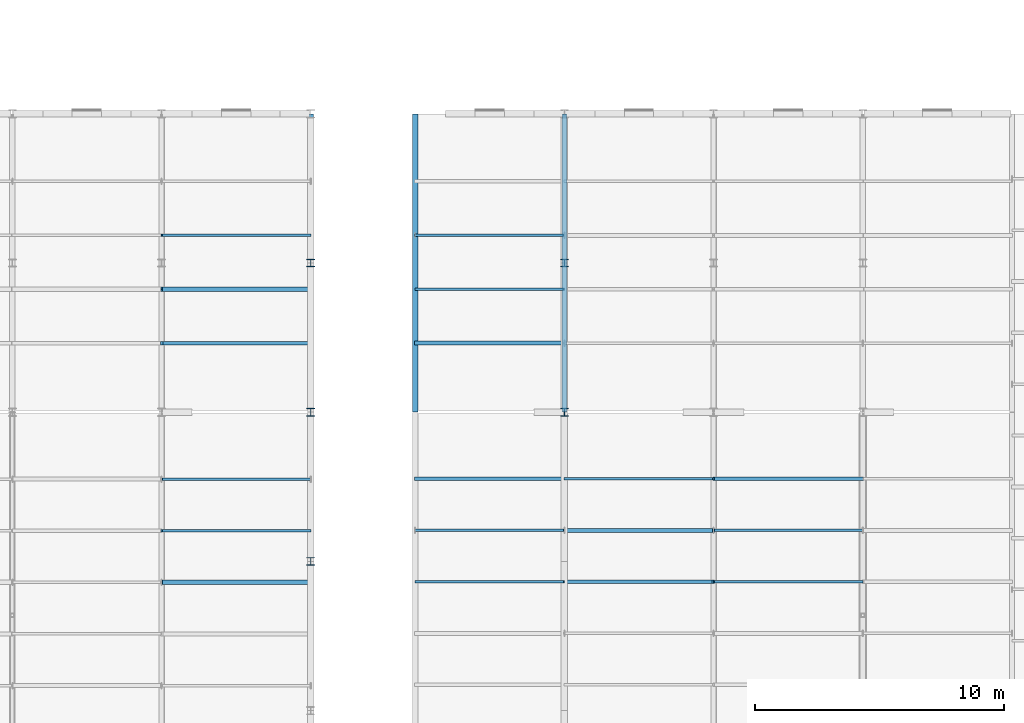
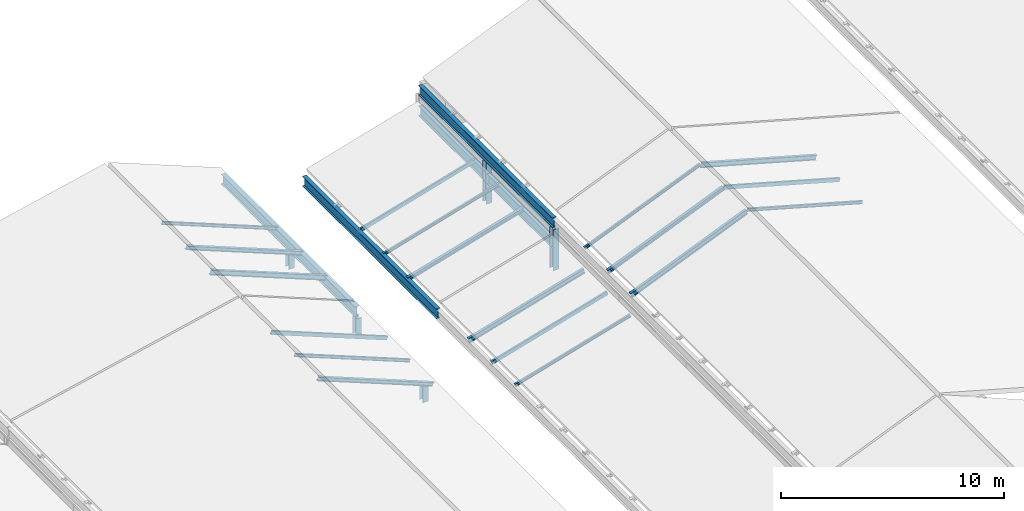
# One storey, part 6 of 74: 23 members, 4 beams.
"""IFC4 building model written with IfcOpenShell, lengths in metres."""

from ifc_helpers import new_model, si_unit, direction, frame, origin, origin_2d, place, context, subcontext, project, spatial, hollow_rectangle, i_section, extrude, material, material_profile, profile_set, type_object, element, save


model = new_model("IFC4")

# Units and contexts
model_context = context("Model", 3, precision=1e-05, world=origin(), true_north=direction((0.0, 1.0)))
body_context = subcontext(model_context, "Body", "Model", "MODEL_VIEW")
ifc_project = project(units=[si_unit("LENGTHUNIT", "METRE"), si_unit("AREAUNIT", "SQUARE_METRE"), si_unit("VOLUMEUNIT", "CUBIC_METRE"), si_unit("PLANEANGLEUNIT", "RADIAN"), si_unit("MASSUNIT", "GRAM", prefix="KILO")], contexts=[model_context])

# Site, building, storey
site_placement = place(None, origin())
site = spatial("IfcSite", under=ifc_project, at=site_placement, CompositionType="ELEMENT")
building_placement = place(site_placement, origin())
building = spatial("IfcBuilding", under=site, at=building_placement, Name="Siltcreek Boulevard Central Fire Station", CompositionType="ELEMENT")
storey_placement = place(building_placement, frame((0.0, 0.0, 25.199951171875)))
storey = spatial("IfcBuildingStorey", under=building, at=storey_placement, Name="RF", CompositionType="ELEMENT", Elevation=25.199951171875)

# Beams
ifc_material_1 = material(Name="Structural steel ASTM A992 Gr50", Category="steel")
ifc_material_profile_1 = material_profile(ifc_material_1, i_section(OverallWidth=0.2109375, OverallDepth=0.5390625, WebThickness=0.01171875, FlangeThickness=0.018798828125, at=origin_2d()), Name="W530X109")
ifc_profile_set_1 = profile_set([ifc_material_profile_1], Name="Structural steel ASTM A992 Gr50")
beam_type = type_object("IfcBeamType", Name="BM_W530X109", PredefinedType="BEAM", material=ifc_profile_set_1)
for number, where, z_axis, x_axis, name in (
    (1, (42.0, 42.010009765625, -15.563720703125), (0.0, 1.0, 0.0), (-1.0, 0.0, 0.0), "Pitched roof rafter beam RFB-005"),
    (2, (48.0, 42.010009765625, -13.813720703125), (0.0, 1.0, 0.0), (-1.0, 0.0, 0.0), "Pitched roof rafter beam RFB-006"),
    (3, (48.0, 42.010009765625, -12.68896484375), (0.0, 1.0, 0.0), (-1.0, 0.0, 0.0), "Pitched roof rafter beam RFB-014"),
    (4, (37.800048828125, 42.010009765625, -13.9853515625), (0.0, 1.0, 0.0), (-1.0, 0.0, 0.0), "Pitched roof rafter beam RFB-050"),
):
    element("IfcBeam", number, at=place(storey_placement, frame(where, z_axis=z_axis, x_axis=x_axis)), inside=storey, type_object=beam_type, Name=name, PredefinedType="BEAM", context=body_context, shape_type="SweptSolid", body=[
        extrude(i_section(OverallWidth=0.2109375, OverallDepth=0.5390625, WebThickness=0.01171875, FlangeThickness=0.018798828125, at=origin_2d()), origin(), (0.0, 0.0, 1.0), 11.97998046875),
    ])

# Members
ifc_material_profile_2 = material_profile(ifc_material_1, i_section(OverallWidth=0.304931640625, OverallDepth=0.30810546875, WebThickness=0.010009765625, FlangeThickness=0.015380859375, at=origin_2d()), Name="W310X97")
ifc_profile_set_2 = profile_set([ifc_material_profile_2], Name="Structural steel ASTM A992 Gr50")
member_type_1 = type_object("IfcMemberType", Name="CH_W310X97", PredefinedType="CHORD", material=ifc_profile_set_2)
member_1_placement = place(storey_placement, frame((37.800048828125, 36.0, -15.199951171875), z_axis=(0.0, 0.0, 1.0), x_axis=(1.0, 0.0, 0.0)))
element("IfcMember", 5, at=member_1_placement, inside=storey, type_object=member_type_1, Name="Roof bearing truss post 0685", PredefinedType="CHORD", context=body_context, shape_type="SweptSolid", body=[
    extrude(i_section(OverallWidth=0.304931640625, OverallDepth=0.30810546875, WebThickness=0.010009765625, FlangeThickness=0.015380859375, at=origin_2d()), origin(), (0.0, 0.0, 1.0), 0.927490234375),
])
for number, where, z_axis, x_axis, name in (
    (6, (37.800048828125, 42.0, -15.199951171875), (0.0, 0.0, 1.0), (1.0, 0.0, 0.0), "Roof bearing truss post 0686"),
    (7, (37.800048828125, 48.0, -15.199951171875), (0.0, 0.0, 1.0), (1.0, 0.0, 0.0), "Roof bearing truss post 0687"),
):
    element("IfcMember", number, at=place(storey_placement, frame(where, z_axis=z_axis, x_axis=x_axis)), inside=storey, type_object=member_type_1, Name=name, PredefinedType="CHORD", context=body_context, shape_type="SweptSolid", body=[
        extrude(i_section(OverallWidth=0.304931640625, OverallDepth=0.30810546875, WebThickness=0.010009765625, FlangeThickness=0.015380859375, at=origin_2d()), origin(), (0.0, 0.0, 1.0), 0.94921875),
    ])
for number, where, z_axis, x_axis, name in (
    (8, (48.0, 42.0, -15.199951171875), (0.0, 0.0, 1.0), (1.0, 0.0, 0.0), "Roof bearing truss post 0695"),
    (9, (48.0, 48.0, -15.199951171875), (0.0, 0.0, 1.0), (1.0, 0.0, 0.0), "Roof bearing truss post 0696"),
):
    element("IfcMember", number, at=place(storey_placement, frame(where, z_axis=z_axis, x_axis=x_axis)), inside=storey, type_object=member_type_1, Name=name, PredefinedType="CHORD", context=body_context, shape_type="SweptSolid", body=[
        extrude(i_section(OverallWidth=0.304931640625, OverallDepth=0.30810546875, WebThickness=0.010009765625, FlangeThickness=0.015380859375, at=origin_2d()), origin(), (0.0, 0.0, 1.0), 2.24560546875),
    ])
ifc_material_2 = material(Name="Structural steel ASTM A500 GrC", Category="steel")
ifc_material_profile_3 = material_profile(ifc_material_2, hollow_rectangle(XDim=0.10009765625, YDim=0.199951171875, WallThickness=0.00634765625, at=origin_2d()), Name="HSS200X100X6.4")
ifc_profile_set_3 = profile_set([ifc_material_profile_3], Name="Structural steel ASTM A500 GrC")
member_type_2 = type_object("IfcMemberType", Name="PR_HSS200X100", PredefinedType="PURLIN", material=ifc_profile_set_3)
for number, where, z_axis, x_axis, name in (
    (10, (42.010009765625, 37.248291015625, -15.375732421875), (0.959990342304, 0.0, 0.280033109976), (0.0, 1.0, 0.0), "Sloped roof purlin PR-0015"),
    (11, (42.010009765625, 49.114013671875, -15.354736328125), (0.960000877925, 0.0, 0.279996989953), (0.0, 1.0, 0.0), "Sloped roof purlin PR-0019"),
):
    element("IfcMember", number, at=place(storey_placement, frame(where, z_axis=z_axis, x_axis=x_axis)), inside=storey, type_object=member_type_2, Name=name, PredefinedType="PURLIN", context=body_context, shape_type="SweptSolid", body=[
        extrude(hollow_rectangle(XDim=0.10009765625, YDim=0.199951171875, WallThickness=0.00634765625, at=origin_2d()), origin(), (0.0, 0.0, 1.0), 6.229248046875),
    ])
member_2_placement = place(storey_placement, frame((54.010009765625, 37.248291015625, -9.980224609375), z_axis=(0.963171200032, 0.0, -0.268888897927), x_axis=(0.0, 1.0, 0.0)))
element("IfcMember", 12, at=member_2_placement, inside=storey, type_object=member_type_2, Name="Sloped roof purlin PR-0051", PredefinedType="PURLIN", context=body_context, shape_type="SweptSolid", body=[
    extrude(hollow_rectangle(XDim=0.10009765625, YDim=0.199951171875, WallThickness=0.00634765625, at=origin_2d()), origin(), (0.0, 0.0, 1.0), 6.208740234375),
])
member_3_placement = place(storey_placement, frame((31.81005859375, 39.313720703125, -11.39501953125), z_axis=(0.928484533425, 0.0, -0.371371069403), x_axis=(0.0, 1.0, 0.0)))
element("IfcMember", 13, at=member_3_placement, inside=storey, type_object=member_type_2, Name="Sloped roof purlin PR-0255", PredefinedType="PURLIN", context=body_context, shape_type="SweptSolid", body=[
    extrude(hollow_rectangle(XDim=0.10009765625, YDim=0.199951171875, WallThickness=0.00634765625, at=origin_2d()), origin(), (0.0, 0.0, 1.0), 6.440673828125),
])
ifc_material_profile_4 = material_profile(ifc_material_1, i_section(OverallWidth=0.10205078125, OverallDepth=0.159912109375, WebThickness=0.006591796875, FlangeThickness=0.01025390625, at=origin_2d()), Name="W150X24")
ifc_profile_set_4 = profile_set([ifc_material_profile_4], Name="Structural steel ASTM A992 Gr50")
member_type_3 = type_object("IfcMemberType", Name="PR_W150X24", PredefinedType="PURLIN", material=ifc_profile_set_4)
for number, where, z_axis, x_axis, name in (
    (14, (42.010009765625, 35.17724609375, -15.354736328125), (0.960000877925, 0.0, 0.279996989953), (0.0, 1.0, 0.0), "Sloped roof purlin PR-0014"),
    (15, (42.010009765625, 46.946044921875, -15.333984375), (0.960000877925, 0.0, 0.279996989953), (0.0, 1.0, 0.0), "Sloped roof purlin PR-0018"),
):
    element("IfcMember", number, at=place(storey_placement, frame(where, z_axis=z_axis, x_axis=x_axis)), inside=storey, type_object=member_type_3, Name=name, PredefinedType="PURLIN", context=body_context, shape_type="SweptSolid", body=[
        extrude(i_section(OverallWidth=0.10205078125, OverallDepth=0.159912109375, WebThickness=0.006591796875, FlangeThickness=0.01025390625, at=origin_2d()), origin(), (0.0, 0.0, 1.0), 6.229248046875),
    ])
member_4_placement = place(storey_placement, frame((48.010009765625, 39.319091796875, -12.46728515625), z_axis=(0.923074693136, 0.0, 0.384620736431), x_axis=(0.0, 1.0, 0.0)))
element("IfcMember", 16, at=member_4_placement, inside=storey, type_object=member_type_3, Name="Sloped roof purlin PR-0042", PredefinedType="PURLIN", context=body_context, shape_type="SweptSolid", body=[
    extrude(i_section(OverallWidth=0.10205078125, OverallDepth=0.159912109375, WebThickness=0.006591796875, FlangeThickness=0.01025390625, at=origin_2d()), origin(), (0.0, 0.0, 1.0), 6.478271484375),
])
member_5_placement = place(storey_placement, frame((54.010009765625, 35.17724609375, -9.95947265625), z_axis=(0.96318138349, 0.0, -0.268852417691), x_axis=(0.0, 1.0, 0.0)))
element("IfcMember", 17, at=member_5_placement, inside=storey, type_object=member_type_3, Name="Sloped roof purlin PR-0050", PredefinedType="PURLIN", context=body_context, shape_type="SweptSolid", body=[
    extrude(i_section(OverallWidth=0.10205078125, OverallDepth=0.159912109375, WebThickness=0.006591796875, FlangeThickness=0.01025390625, at=origin_2d()), origin(), (0.0, 0.0, 1.0), 6.20849609375),
])
for number, where, z_axis, x_axis, name in (
    (18, (31.81005859375, 37.2373046875, -11.373291015625), (0.928471462369, 0.0, -0.371403747379), (0.0, 1.0, 0.0), "Sloped roof purlin PR-0254"),
    (19, (31.81005859375, 49.114013671875, -11.351806640625), (0.928471462369, 0.0, -0.371403747379), (0.0, 1.0, 0.0), "Sloped roof purlin PR-0266"),
):
    element("IfcMember", number, at=place(storey_placement, frame(where, z_axis=z_axis, x_axis=x_axis)), inside=storey, type_object=member_type_3, Name=name, PredefinedType="PURLIN", context=body_context, shape_type="SweptSolid", body=[
        extrude(i_section(OverallWidth=0.10205078125, OverallDepth=0.159912109375, WebThickness=0.006591796875, FlangeThickness=0.01025390625, at=origin_2d()), origin(), (0.0, 0.0, 1.0), 6.440673828125),
    ])
ifc_material_profile_5 = material_profile(ifc_material_1, i_section(OverallWidth=0.1650390625, OverallDepth=0.200927734375, WebThickness=0.006103515625, FlangeThickness=0.01025390625, at=origin_2d()), Name="W200X36")
ifc_profile_set_5 = profile_set([ifc_material_profile_5], Name="Structural steel ASTM A992 Gr50")
member_type_4 = type_object("IfcMemberType", Name="PR_W200X36", PredefinedType="PURLIN", material=ifc_profile_set_5)
member_6_placement = place(storey_placement, frame((42.010009765625, 44.778076171875, -15.355224609375), z_axis=(0.960000877925, 0.0, 0.279996989953), x_axis=(0.0, 1.0, 0.0)))
element("IfcMember", 20, at=member_6_placement, inside=storey, type_object=member_type_4, Name="Sloped roof purlin PR-0017", PredefinedType="PURLIN", context=body_context, shape_type="SweptSolid", body=[
    extrude(i_section(OverallWidth=0.1650390625, OverallDepth=0.200927734375, WebThickness=0.006103515625, FlangeThickness=0.01025390625, at=origin_2d()), origin(), (0.0, 0.0, 1.0), 6.229248046875),
])
member_7_placement = place(storey_placement, frame((48.010009765625, 37.248291015625, -12.489501953125), z_axis=(0.923074693136, 0.0, 0.384620736431), x_axis=(0.0, 1.0, 0.0)))
element("IfcMember", 21, at=member_7_placement, inside=storey, type_object=member_type_4, Name="Sloped roof purlin PR-0041", PredefinedType="PURLIN", context=body_context, shape_type="SweptSolid", body=[
    extrude(i_section(OverallWidth=0.1650390625, OverallDepth=0.200927734375, WebThickness=0.006103515625, FlangeThickness=0.01025390625, at=origin_2d()), origin(), (0.0, 0.0, 1.0), 6.478271484375),
])
for number, where, z_axis, x_axis, name in (
    (22, (31.81005859375, 35.160888671875, -11.3955078125), (0.928484533425, 0.0, -0.371371069403), (0.0, 1.0, 0.0), "Sloped roof purlin PR-0253"),
    (23, (31.81005859375, 46.946044921875, -11.3740234375), (0.928484533425, 0.0, -0.371371069403), (0.0, 1.0, 0.0), "Sloped roof purlin PR-0265"),
):
    element("IfcMember", number, at=place(storey_placement, frame(where, z_axis=z_axis, x_axis=x_axis)), inside=storey, type_object=member_type_4, Name=name, PredefinedType="PURLIN", context=body_context, shape_type="SweptSolid", body=[
        extrude(i_section(OverallWidth=0.1650390625, OverallDepth=0.200927734375, WebThickness=0.006103515625, FlangeThickness=0.01025390625, at=origin_2d()), origin(), (0.0, 0.0, 1.0), 6.440673828125),
    ])
ifc_material_profile_6 = material_profile(ifc_material_1, i_section(OverallWidth=0.14697265625, OverallDepth=0.261962890625, WebThickness=0.006591796875, FlangeThickness=0.01123046875, at=origin_2d()), Name="W250X39")
ifc_profile_set_6 = profile_set([ifc_material_profile_6], Name="Structural steel ASTM A992 Gr50")
member_type_5 = type_object("IfcMemberType", Name="PR_W250X39", PredefinedType="PURLIN", material=ifc_profile_set_6)
member_8_placement = place(storey_placement, frame((42.010009765625, 39.319091796875, -15.407958984375), z_axis=(0.960000877925, 0.0, 0.279996989953), x_axis=(0.0, 1.0, 0.0)))
element("IfcMember", 24, at=member_8_placement, inside=storey, type_object=member_type_5, Name="Sloped roof purlin PR-0016", PredefinedType="PURLIN", context=body_context, shape_type="SweptSolid", body=[
    extrude(i_section(OverallWidth=0.14697265625, OverallDepth=0.261962890625, WebThickness=0.006591796875, FlangeThickness=0.01123046875, at=origin_2d()), origin(), (0.0, 0.0, 1.0), 6.229248046875),
])
member_9_placement = place(storey_placement, frame((48.010009765625, 35.17724609375, -12.5224609375), z_axis=(0.923074693136, 0.0, 0.384620736431), x_axis=(0.0, 1.0, 0.0)))
element("IfcMember", 25, at=member_9_placement, inside=storey, type_object=member_type_5, Name="Sloped roof purlin PR-0040", PredefinedType="PURLIN", context=body_context, shape_type="SweptSolid", body=[
    extrude(i_section(OverallWidth=0.14697265625, OverallDepth=0.261962890625, WebThickness=0.006591796875, FlangeThickness=0.01123046875, at=origin_2d()), origin(), (0.0, 0.0, 1.0), 6.478271484375),
])
member_10_placement = place(storey_placement, frame((54.010009765625, 39.319091796875, -10.01220703125), z_axis=(0.963171200032, 0.0, -0.268888897927), x_axis=(0.0, 1.0, 0.0)))
element("IfcMember", 26, at=member_10_placement, inside=storey, type_object=member_type_5, Name="Sloped roof purlin PR-0052", PredefinedType="PURLIN", context=body_context, shape_type="SweptSolid", body=[
    extrude(i_section(OverallWidth=0.14697265625, OverallDepth=0.261962890625, WebThickness=0.006591796875, FlangeThickness=0.01123046875, at=origin_2d()), origin(), (0.0, 0.0, 1.0), 6.208740234375),
])
member_11_placement = place(storey_placement, frame((31.81005859375, 44.778076171875, -11.40673828125), z_axis=(0.928471462369, 0.0, -0.371403747379), x_axis=(0.0, 1.0, 0.0)))
element("IfcMember", 27, at=member_11_placement, inside=storey, type_object=member_type_5, Name="Sloped roof purlin PR-0264", PredefinedType="PURLIN", context=body_context, shape_type="SweptSolid", body=[
    extrude(i_section(OverallWidth=0.14697265625, OverallDepth=0.261962890625, WebThickness=0.006591796875, FlangeThickness=0.01123046875, at=origin_2d()), origin(), (0.0, 0.0, 1.0), 6.440673828125),
])

save(model, "model.ifc")
